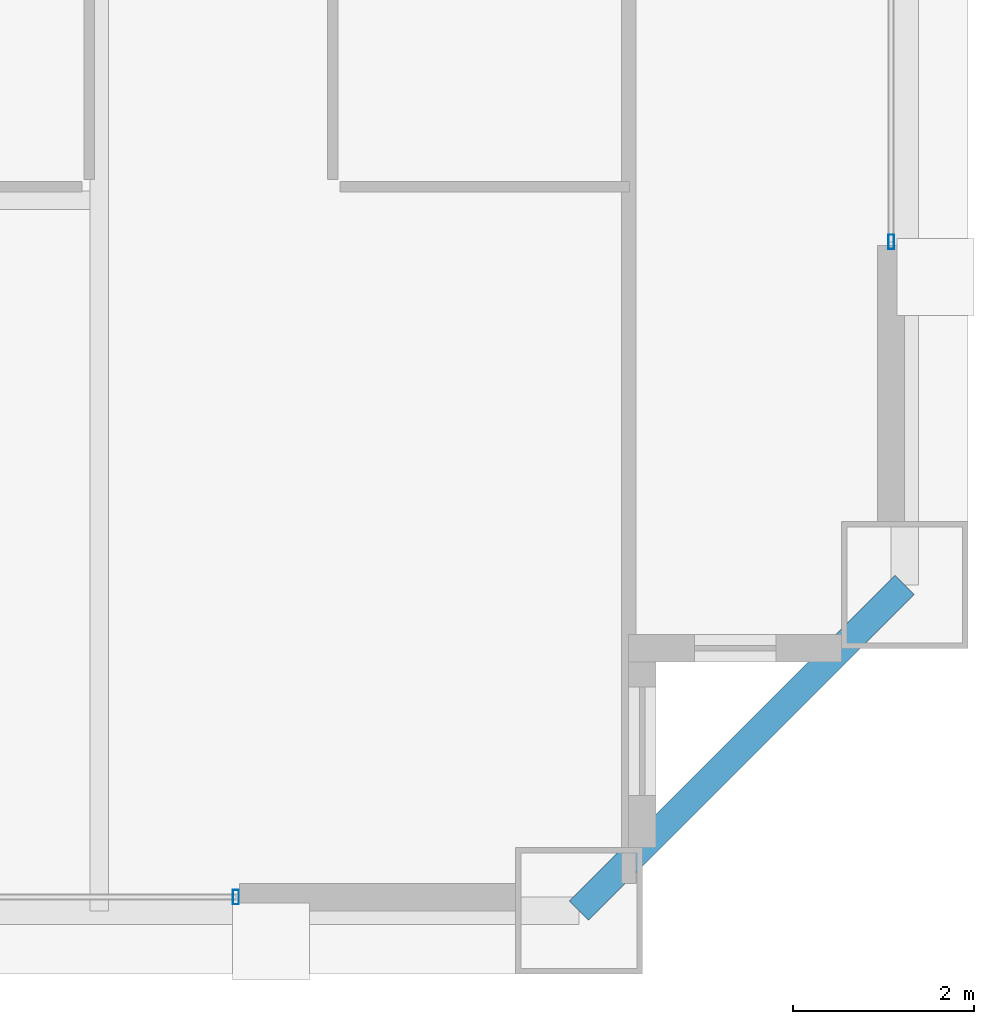
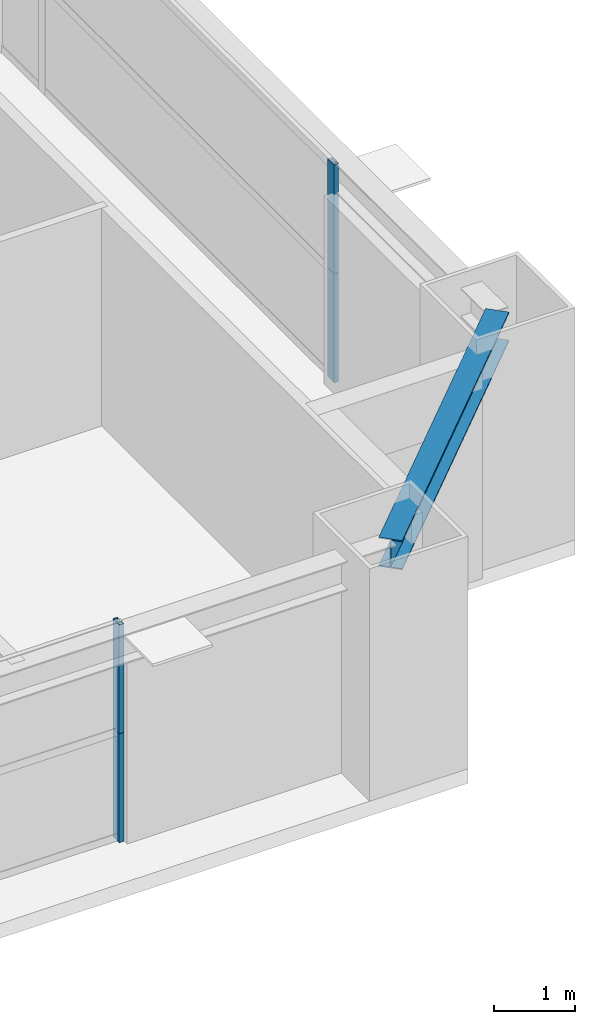
# One storey, part 16 of 38: 4 members, 1 beam, 2 elements without a shape of their own.
"""IFC4 building model written with IfcOpenShell, lengths in metres."""

from ifc_helpers import new_model, si_unit, direction, frame, origin, origin_2d, place, context, subcontext, project, spatial, hollow_rectangle, i_section, extrude, source, transform, mapped, material, layer, layer_set, material_profile, profile_set, type_object, element, aggregate, save


model = new_model("IFC4")

# Units and contexts
model_context = context("Model", 3, precision=1e-05, world=origin(), true_north=direction((0.0, 1.0)))
body_context = subcontext(model_context, "Body", "Model", "MODEL_VIEW")
ifc_project = project(units=[si_unit("LENGTHUNIT", "METRE"), si_unit("AREAUNIT", "SQUARE_METRE"), si_unit("VOLUMEUNIT", "CUBIC_METRE"), si_unit("PLANEANGLEUNIT", "RADIAN"), si_unit("MASSUNIT", "GRAM", prefix="KILO"), si_unit("THERMODYNAMICTEMPERATUREUNIT", "KELVIN"), si_unit("POWERUNIT", "WATT")], contexts=[model_context])

# Site, building, storey
site_placement = place(None, origin())
site = spatial("IfcSite", under=ifc_project, at=site_placement, CompositionType="ELEMENT")
building_placement = place(site_placement, origin())
building = spatial("IfcBuilding", under=site, at=building_placement, Name="Yuzanri Waterfront Tower", CompositionType="ELEMENT")
storey_placement = place(building_placement, frame((0.0, 0.0, 181.0)))
storey = spatial("IfcBuildingStorey", under=building, at=storey_placement, Name="L47", CompositionType="ELEMENT", Elevation=181.0)

# Beam
ifc_material_1 = material(Name="Steel Q355B", Category="steel")
ifc_material_profile_1 = material_profile(ifc_material_1, i_section(OverallWidth=0.300048828125, OverallDepth=0.43994140625, WebThickness=0.010986328125, FlangeThickness=0.01806640625, at=origin_2d()), Name="HM 440x300x11x18")
ifc_profile_set_1 = profile_set([ifc_material_profile_1], Name="Steel Q355B")
beam_type = type_object("IfcBeamType", Name="Perimeter Spandrel Q355B HM 440x300", PredefinedType="SPANDREL", material=ifc_profile_set_1)
shared_shape_1 = source(origin(), body_context, "Body", "SweptSolid", [
    extrude(i_section(OverallWidth=0.300048828125, OverallDepth=0.43994140625, WebThickness=0.010986328125, FlangeThickness=0.01806640625, at=origin_2d()), origin(), (0.0, 0.0, 1.0), 5.09130859375),
])
beam_placement = place(storey_placement, frame((55.5, 3.699951171875, 3.06005859375), z_axis=(0.707106781187, 0.707106781187, 0.0), x_axis=(-0.707106781187, 0.707106781187, 0.0)))
element("IfcBeam", 1, at=beam_placement, inside=storey, type_object=beam_type, Name="L47 Perimeter Spandrel S3-E1", PredefinedType="SPANDREL", context=body_context, shape_type="MappedRepresentation", body=[
    mapped(shared_shape_1, transform((0.0, 0.0, 0.0), scale=1.0)),
])

# Curtain wall, members
ifc_material_2 = material(Name="Anodized Architectural Bronze", Category="metal")
ifc_layer = layer(ifc_material_2, 0.159912109375)
ifc_layer_set = layer_set([ifc_layer], Name="Anodized Architectural Bronze")
curtain_wall_type = type_object("IfcCurtainWallType", Name="Anodized Bronze Mid-Rise Residential Acoustic Unitized Curtain Wall 7200", PredefinedType="NOTDEFINED", material=ifc_layer_set)
curtain_wall_1_placement = place(storey_placement, origin())
curtain_wall_1 = element("IfcCurtainWall", 2, at=curtain_wall_1_placement, inside=storey, type_object=curtain_wall_type, Name="L47 Curtain Wall CW-L47-SR", PredefinedType="NOTDEFINED")
ifc_material_3 = material(Name="Anodized Architectural Bronze", Category="metal")
ifc_material_profile_2 = material_profile(ifc_material_3, hollow_rectangle(XDim=0.06494140625, YDim=0.159912109375, WallThickness=0.00341796875, at=origin_2d()), Name="CWM 65x160")
ifc_profile_set_2 = profile_set([ifc_material_profile_2], Name="Anodized Architectural Bronze")
member_type = type_object("IfcMemberType", Name="Anodized Bronze Upper-Zone Curtain-Wall Mullion 65x160", PredefinedType="MULLION", material=ifc_profile_set_2)
shared_shape_2 = source(origin(), body_context, "Body", "SweptSolid", [
    extrude(hollow_rectangle(XDim=0.06494140625, YDim=0.159912109375, WallThickness=0.00341796875, at=origin_2d()), origin(), (0.0, 0.0, 1.0), 1.637939453125),
])
member_1_placement = place(storey_placement, frame((51.7099609375, 3.85009765625, 0.0), z_axis=(0.0, 0.0, 1.0), x_axis=(1.0, 0.0, 0.0)))
member_1 = element("IfcMember", 3, at=member_1_placement, type_object=member_type, Name="CW-L47-SR Lower Mullion 02", PredefinedType="MULLION", context=body_context, shape_type="MappedRepresentation", body=[
    mapped(shared_shape_2, transform((0.0, 0.0, 0.0), scale=1.0)),
])
member_2_placement = place(storey_placement, frame((51.7099609375, 3.85009765625, 1.64208984375), z_axis=(0.0, 0.0, 1.0), x_axis=(1.0, 0.0, 0.0)))
member_2 = element("IfcMember", 4, at=member_2_placement, type_object=member_type, Name="CW-L47-SR Upper Mullion 02", PredefinedType="MULLION", context=body_context, shape_type="MappedRepresentation", body=[
    mapped(shared_shape_2, transform((0.0, 0.0, 0.0), scale=1.0)),
])
aggregate(curtain_wall_1, [member_1, member_2])

curtain_wall_2_placement = place(storey_placement, origin())
curtain_wall_2 = element("IfcCurtainWall", 5, at=curtain_wall_2_placement, inside=storey, type_object=curtain_wall_type, Name="L47 Curtain Wall CW-L47-EL", PredefinedType="NOTDEFINED")
member_3_placement = place(storey_placement, frame((58.949951171875, 11.090087890625, 0.0), z_axis=(0.0, 0.0, 1.0), x_axis=(1.0, 0.0, 0.0)))
member_3 = element("IfcMember", 6, at=member_3_placement, type_object=member_type, Name="CW-L47-EL Lower Mullion 00", PredefinedType="MULLION", context=body_context, shape_type="MappedRepresentation", body=[
    mapped(shared_shape_2, transform((0.0, 0.0, 0.0), scale=1.0)),
])
member_4_placement = place(storey_placement, frame((58.949951171875, 11.090087890625, 1.64208984375), z_axis=(0.0, 0.0, 1.0), x_axis=(1.0, 0.0, 0.0)))
member_4 = element("IfcMember", 7, at=member_4_placement, type_object=member_type, Name="CW-L47-EL Upper Mullion 00", PredefinedType="MULLION", context=body_context, shape_type="MappedRepresentation", body=[
    mapped(shared_shape_2, transform((0.0, 0.0, 0.0), scale=1.0)),
])
aggregate(curtain_wall_2, [member_3, member_4])

save(model, "model.ifc")
